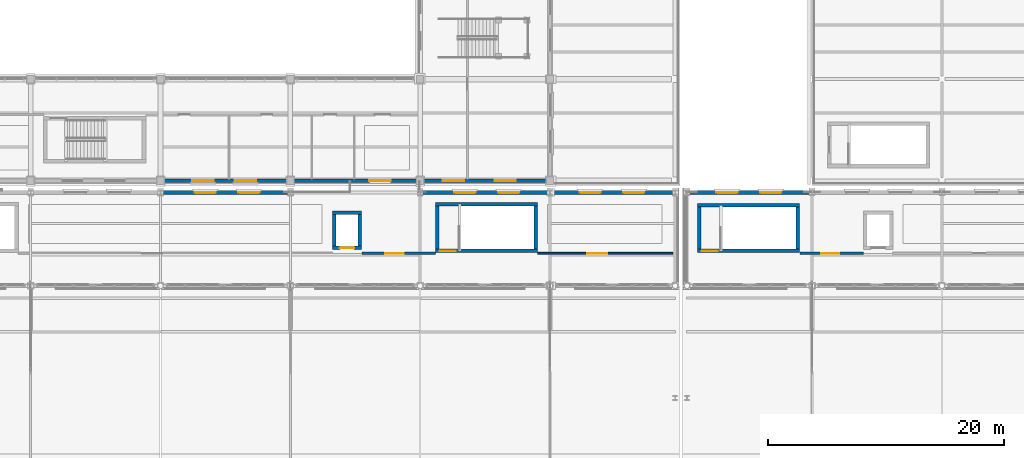
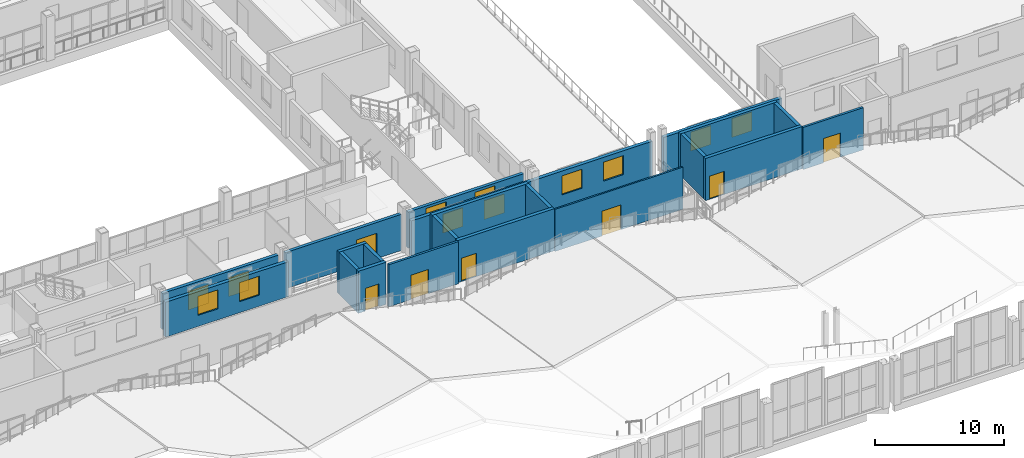
# One storey, part 95 of 120: 22 walls, 12 windows, 7 doors, 19 openings.
"""IFC4 building model written with IfcOpenShell, lengths in metres."""

from ifc_helpers import new_model, si_unit, direction, frame, frame_2d, origin, place, context, subcontext, project, spatial, rectangle, extrude, material, layer, layer_set, type_object, element, fill, save


model = new_model("IFC4")

# Units and contexts
model_context = context("Model", 3, precision=1e-05, world=origin(), true_north=direction((0.0, 1.0)))
body_context = subcontext(model_context, "Body", "Model", "MODEL_VIEW")
ifc_project = project(units=[si_unit("LENGTHUNIT", "METRE"), si_unit("AREAUNIT", "SQUARE_METRE"), si_unit("VOLUMEUNIT", "CUBIC_METRE"), si_unit("PLANEANGLEUNIT", "RADIAN"), si_unit("MASSUNIT", "GRAM", prefix="KILO")], contexts=[model_context])

# Site, building, storey
site_placement = place(None, origin())
site = spatial("IfcSite", under=ifc_project, at=site_placement, CompositionType="ELEMENT")
building_placement = place(site_placement, origin())
building = spatial("IfcBuilding", under=site, at=building_placement, Name="Caurita Quay Ferry Terminal", CompositionType="ELEMENT")
storey_placement = place(building_placement, frame((0.0, 0.0, 9.89990234375)))
storey = spatial("IfcBuildingStorey", under=building, at=storey_placement, Name="L02", CompositionType="ELEMENT", Elevation=9.89990234375)

# Wall, opening, door
ifc_material_1 = material(Name="Reinforced concrete C35/45", Category="concrete")
ifc_layer_1 = layer(ifc_material_1, 0.300048828125, Name="Interior shear wall 300 mm")
ifc_layer_set_1 = layer_set([ifc_layer_1], Name="Reinforced concrete C35/45")
wall_type_1 = type_object("IfcWallType", Name="WL-CORE-300", PredefinedType="SHEAR", material=ifc_layer_set_1)
wall_1_placement = place(storey_placement, frame((67.300048828125, 65.64990234375, 0.0), z_axis=(0.0, 0.0, 1.0), x_axis=(1.0, 0.0, 0.0)))
wall_1 = element("IfcWall", 1, at=wall_1_placement, inside=storey, type_object=wall_type_1, Name="L02 ST-07 Core Wall South", PredefinedType="SHEAR", context=body_context, shape_type="SweptSolid", body=[
    extrude(rectangle(XDim=8.64990234375, YDim=0.300048828125, at=frame_2d((4.324951171875, 0.0))), origin(), (0.0, 0.0, 1.0), 3.989990234375),
])
opening_1_placement = place(wall_1_placement, frame((0.35009765625, 0.0, 0.0)))
opening_1 = element("IfcOpeningElement", 2, at=opening_1_placement, cuts=wall_1, Name="Opening SD-01", PredefinedType="OPENING", context=body_context, shape_type="SweptSolid", body=[
    extrude(rectangle(XDim=1.35009765625, YDim=2.199951171875, at=frame_2d((0.675048828125, 1.10009765625))), frame((0.0, 0.159912109375, 0.0), z_axis=(0.0, -1.0, 0.0), x_axis=(1.0, 0.0, 0.0)), (0.0, 0.0, 1.0), 0.320068359375),
])
ifc_material_2 = material(Name="Anodized aluminium 6063-T6", Category="aluminium")
door_type_1 = type_object("IfcDoorType", Name="DR-ST-1200", OperationType="NOTDEFINED", PredefinedType="DOOR", material=ifc_material_2)
door_1_placement = place(opening_1_placement, origin())
door_1 = element("IfcDoor", 3, at=door_1_placement, inside=storey, type_object=door_type_1, Name="L02 Exit Stair ST-07 Fire Door", OperationType="SINGLE_SWING_LEFT", OverallHeight=2.199951171875, OverallWidth=1.35009765625, PredefinedType="DOOR", context=body_context, shape_type="SweptSolid", body=[
    extrude(rectangle(XDim=1.35009765625, YDim=2.199951171875, at=frame_2d((0.675048828125, 1.10009765625))), frame((0.0, 0.02490234375, 0.0), z_axis=(0.0, -1.0, 0.0), x_axis=(1.0, 0.0, 0.0)), (0.0, 0.0, 1.0), 0.050048828125),
])
fill(opening_1, door_1)

# Walls
wall_2_placement = place(storey_placement, frame((75.949951171875, 69.610107421875, 0.0), z_axis=(0.0, 0.0, 1.0), x_axis=(-1.0, 0.0, 0.0)))
element("IfcWall", 4, at=wall_2_placement, inside=storey, type_object=wall_type_1, Name="L02 ST-07 Core Wall North", PredefinedType="SHEAR", context=body_context, shape_type="SweptSolid", body=[
    extrude(rectangle(XDim=8.64990234375, YDim=0.300048828125, at=frame_2d((4.324951171875, 0.0))), origin(), (0.0, 0.0, 1.0), 3.989990234375),
])
for number, where, z_axis, x_axis, name in (
    (5, (67.449951171875, 69.4599609375, 0.0), (0.0, 0.0, 1.0), (0.0, -1.0, 0.0), "L02 ST-07 Core Wall West"),
    (6, (75.800048828125, 65.800048828125, 0.0), (0.0, 0.0, 1.0), (0.0, 1.0, 0.0), "L02 ST-07 Core Wall East"),
):
    element("IfcWall", number, at=place(storey_placement, frame(where, z_axis=z_axis, x_axis=x_axis)), inside=storey, type_object=wall_type_1, Name=name, PredefinedType="SHEAR", context=body_context, shape_type="SweptSolid", body=[
        extrude(rectangle(XDim=3.659912109375, YDim=0.300048828125, at=frame_2d((1.830078125, 0.0))), origin(), (0.0, 0.0, 1.0), 3.989990234375),
    ])

# Wall, opening, door
wall_3_placement = place(storey_placement, frame((89.5, 65.64990234375, 0.0), z_axis=(0.0, 0.0, 1.0), x_axis=(1.0, 0.0, 0.0)))
wall_3 = element("IfcWall", 7, at=wall_3_placement, inside=storey, type_object=wall_type_1, Name="L02 ST-08 Core Wall South", PredefinedType="SHEAR", context=body_context, shape_type="SweptSolid", body=[
    extrude(rectangle(XDim=8.64990234375, YDim=0.300048828125, at=frame_2d((4.324951171875, 0.0))), origin(), (0.0, 0.0, 1.0), 3.989990234375),
])
opening_2_placement = place(wall_3_placement, frame((0.35009765625, 0.0, 0.0)))
opening_2 = element("IfcOpeningElement", 8, at=opening_2_placement, cuts=wall_3, Name="Opening SD-01", PredefinedType="OPENING", context=body_context, shape_type="SweptSolid", body=[
    extrude(rectangle(XDim=1.35009765625, YDim=2.199951171875, at=frame_2d((0.675048828125, 1.10009765625))), frame((0.0, 0.159912109375, 0.0), z_axis=(0.0, -1.0, 0.0), x_axis=(1.0, 0.0, 0.0)), (0.0, 0.0, 1.0), 0.320068359375),
])
door_2_placement = place(opening_2_placement, origin())
door_2 = element("IfcDoor", 9, at=door_2_placement, inside=storey, type_object=door_type_1, Name="L02 Exit Stair ST-08 Fire Door", OperationType="SINGLE_SWING_RIGHT", OverallHeight=2.199951171875, OverallWidth=1.35009765625, PredefinedType="DOOR", context=body_context, shape_type="SweptSolid", body=[
    extrude(rectangle(XDim=1.35009765625, YDim=2.199951171875, at=frame_2d((0.675048828125, 1.10009765625))), frame((0.0, 0.02490234375, 0.0), z_axis=(0.0, -1.0, 0.0), x_axis=(1.0, 0.0, 0.0)), (0.0, 0.0, 1.0), 0.050048828125),
])
fill(opening_2, door_2)

# Walls
wall_4_placement = place(storey_placement, frame((98.14990234375, 69.510009765625, 0.0), z_axis=(0.0, 0.0, 1.0), x_axis=(-1.0, 0.0, 0.0)))
element("IfcWall", 10, at=wall_4_placement, inside=storey, type_object=wall_type_1, Name="L02 ST-08 Core Wall North", PredefinedType="SHEAR", context=body_context, shape_type="SweptSolid", body=[
    extrude(rectangle(XDim=8.64990234375, YDim=0.300048828125, at=frame_2d((4.324951171875, 0.0))), origin(), (0.0, 0.0, 1.0), 3.989990234375),
])
for number, where, z_axis, x_axis, name in (
    (11, (89.64990234375, 69.360107421875, 0.0), (0.0, 0.0, 1.0), (0.0, -1.0, 0.0), "L02 ST-08 Core Wall West"),
    (12, (98.0, 65.800048828125, 0.0), (0.0, 0.0, 1.0), (0.0, 1.0, 0.0), "L02 ST-08 Core Wall East"),
):
    element("IfcWall", number, at=place(storey_placement, frame(where, z_axis=z_axis, x_axis=x_axis)), inside=storey, type_object=wall_type_1, Name=name, PredefinedType="SHEAR", context=body_context, shape_type="SweptSolid", body=[
        extrude(rectangle(XDim=3.56005859375, YDim=0.300048828125, at=frame_2d((1.780029296875, 0.0))), origin(), (0.0, 0.0, 1.0), 3.989990234375),
    ])

# Wall, opening, door
wall_5_placement = place(storey_placement, frame((58.554931640625, 65.905029296875, 0.0), z_axis=(0.0, 0.0, 1.0), x_axis=(1.0, 0.0, 0.0)))
wall_5 = element("IfcWall", 13, at=wall_5_placement, inside=storey, type_object=wall_type_1, Name="L02 Lift LP-02 Shaft Wall South", PredefinedType="SHEAR", context=body_context, shape_type="SweptSolid", body=[
    extrude(rectangle(XDim=2.489990234375, YDim=0.300048828125, at=frame_2d((1.2451171875, 0.0))), origin(), (0.0, 0.0, 1.0), 3.989990234375),
])
opening_3_placement = place(wall_5_placement, frame((0.64501953125, 0.0, 0.0)))
opening_3 = element("IfcOpeningElement", 14, at=opening_3_placement, cuts=wall_5, Name="Opening LD-02", PredefinedType="OPENING", context=body_context, shape_type="SweptSolid", body=[
    extrude(rectangle(XDim=1.199951171875, YDim=2.14990234375, at=frame_2d((0.60009765625, 1.074951171875))), frame((0.0, 0.159912109375, 0.0), z_axis=(0.0, -1.0, 0.0), x_axis=(1.0, 0.0, 0.0)), (0.0, 0.0, 1.0), 0.320068359375),
])
ifc_material_3 = material(Name="Bronze architectural metalwork", Category="metal")
door_type_2 = type_object("IfcDoorType", Name="DR-LD-02", OperationType="DOUBLE_DOOR_SLIDING", PredefinedType="DOOR", material=ifc_material_3)
door_3_placement = place(opening_3_placement, frame((1.199951171875, 0.0, 0.0), z_axis=(0.0, 0.0, 1.0), x_axis=(-1.0, 0.0, 0.0)))
door_3 = element("IfcDoor", 15, at=door_3_placement, inside=storey, type_object=door_type_2, Name="L02 Lift LP-02 Sliding Landing Door", OperationType="DOUBLE_DOOR_SLIDING", OverallHeight=2.14990234375, OverallWidth=1.199951171875, PredefinedType="DOOR", context=body_context, shape_type="SweptSolid", body=[
    extrude(rectangle(XDim=1.199951171875, YDim=2.14990234375, at=frame_2d((0.60009765625, 1.074951171875))), frame((0.0, 0.02490234375, 0.0), z_axis=(0.0, -1.0, 0.0), x_axis=(1.0, 0.0, 0.0)), (0.0, 0.0, 1.0), 0.050048828125),
])
fill(opening_3, door_3)

# Walls
wall_6_placement = place(storey_placement, frame((61.044921875, 68.89501953125, 0.0), z_axis=(0.0, 0.0, 1.0), x_axis=(-1.0, 0.0, 0.0)))
element("IfcWall", 16, at=wall_6_placement, inside=storey, type_object=wall_type_1, Name="L02 Lift LP-02 Shaft Wall North", PredefinedType="SHEAR", context=body_context, shape_type="SweptSolid", body=[
    extrude(rectangle(XDim=2.489990234375, YDim=0.300048828125, at=frame_2d((1.2451171875, 0.0))), origin(), (0.0, 0.0, 1.0), 3.989990234375),
])
for number, where, z_axis, x_axis, name in (
    (17, (58.705078125, 68.7451171875, 0.0), (0.0, 0.0, 1.0), (0.0, -1.0, 0.0), "L02 Lift LP-02 Shaft Wall West"),
    (18, (60.89501953125, 66.054931640625, 0.0), (0.0, 0.0, 1.0), (0.0, 1.0, 0.0), "L02 Lift LP-02 Shaft Wall East"),
):
    element("IfcWall", number, at=place(storey_placement, frame(where, z_axis=z_axis, x_axis=x_axis)), inside=storey, type_object=wall_type_1, Name=name, PredefinedType="SHEAR", context=body_context, shape_type="SweptSolid", body=[
        extrude(rectangle(XDim=2.690185546875, YDim=0.300048828125, at=frame_2d((1.34521484375, 0.0))), origin(), (0.0, 0.0, 1.0), 3.989990234375),
    ])

# Wall, opening, door
ifc_material_4 = material(Name="Warm-white lime stucco masonry", Category="masonry")
ifc_layer_2 = layer(ifc_material_4, 0.199951171875, Name="Interior partitioning wall 200 mm")
ifc_layer_set_2 = layer_set([ifc_layer_2], Name="Warm-white lime stucco masonry")
wall_type_2 = type_object("IfcWallType", Name="WL-CORR-200", PredefinedType="PARTITIONING", material=ifc_layer_set_2)
wall_7_placement = place(storey_placement, frame((61.050048828125, 65.449951171875, 0.0), z_axis=(0.0, 0.0, 1.0), x_axis=(1.0, 0.0, 0.0)))
wall_7 = element("IfcWall", 19, at=wall_7_placement, inside=storey, type_object=wall_type_2, Name="L02 Interior Partition IW-L02-077", PredefinedType="PARTITIONING", context=body_context, shape_type="SweptSolid", body=[
    extrude(rectangle(XDim=6.239990234375, YDim=0.199951171875, at=frame_2d((3.1201171875, 0.0))), origin(), (0.0, 0.0, 1.0), 3.989990234375),
])
opening_4_placement = place(wall_7_placement, frame((2.0, 0.0, 0.0)))
opening_4 = element("IfcOpeningElement", 20, at=opening_4_placement, cuts=wall_7, Name="Opening ID-10", PredefinedType="OPENING", context=body_context, shape_type="SweptSolid", body=[
    extrude(rectangle(XDim=1.550048828125, YDim=2.300048828125, at=frame_2d((0.77490234375, 1.14990234375))), frame((0.0, 0.10986328125, 0.0), z_axis=(0.0, -1.0, 0.0), x_axis=(1.0, 0.0, 0.0)), (0.0, 0.0, 1.0), 0.219970703125),
])
ifc_material_5 = material(Name="Tropical mahogany hardwood", Category="wood")
door_type_3 = type_object("IfcDoorType", Name="DR-CONC-1550", OperationType="NOTDEFINED", PredefinedType="DOOR", material=ifc_material_5)
door_4_placement = place(opening_4_placement, frame((1.550048828125, 0.0, 0.0), z_axis=(0.0, 0.0, 1.0), x_axis=(-1.0, 0.0, 0.0)))
door_4 = element("IfcDoor", 21, at=door_4_placement, inside=storey, type_object=door_type_3, Name="Mezzanine Lift Lobby East Gallery Door", OperationType="SINGLE_SWING_RIGHT", OverallHeight=2.300048828125, OverallWidth=1.550048828125, PredefinedType="DOOR", context=body_context, shape_type="SweptSolid", body=[
    extrude(rectangle(XDim=1.550048828125, YDim=2.300048828125, at=frame_2d((0.77490234375, 1.14990234375))), frame((0.0, 0.02490234375, 0.0), z_axis=(0.0, -1.0, 0.0), x_axis=(1.0, 0.0, 0.0)), (0.0, 0.0, 1.0), 0.050048828125),
])
fill(opening_4, door_4)

wall_8_placement = place(storey_placement, frame((98.159912109375, 65.449951171875, 0.0), z_axis=(0.0, 0.0, 1.0), x_axis=(1.0, 0.0, 0.0)))
wall_8 = element("IfcWall", 22, at=wall_8_placement, inside=storey, type_object=wall_type_2, Name="L02 Interior Partition IW-L02-079", PredefinedType="PARTITIONING", context=body_context, shape_type="SweptSolid", body=[
    extrude(rectangle(XDim=5.39013671875, YDim=0.199951171875, at=frame_2d((2.695068359375, 0.0))), origin(), (0.0, 0.0, 1.0), 3.989990234375),
])
opening_5_placement = place(wall_8_placement, frame((1.800048828125, 0.0, 0.0)))
opening_5 = element("IfcOpeningElement", 23, at=opening_5_placement, cuts=wall_8, Name="Opening ID-10", PredefinedType="OPENING", context=body_context, shape_type="SweptSolid", body=[
    extrude(rectangle(XDim=1.550048828125, YDim=2.300048828125, at=frame_2d((0.77490234375, 1.14990234375))), frame((0.0, 0.10986328125, 0.0), z_axis=(0.0, -1.0, 0.0), x_axis=(1.0, 0.0, 0.0)), (0.0, 0.0, 1.0), 0.219970703125),
])
door_5_placement = place(opening_5_placement, frame((1.550048828125, 0.0, 0.0), z_axis=(0.0, 0.0, 1.0), x_axis=(-1.0, 0.0, 0.0)))
door_5 = element("IfcDoor", 24, at=door_5_placement, inside=storey, type_object=door_type_3, Name="Arrivals Lift Lobby L02 Door", OperationType="SINGLE_SWING_RIGHT", OverallHeight=2.300048828125, OverallWidth=1.550048828125, PredefinedType="DOOR", context=body_context, shape_type="SweptSolid", body=[
    extrude(rectangle(XDim=1.550048828125, YDim=2.300048828125, at=frame_2d((0.77490234375, 1.14990234375))), frame((0.0, 0.02490234375, 0.0), z_axis=(0.0, -1.0, 0.0), x_axis=(1.0, 0.0, 0.0)), (0.0, 0.0, 1.0), 0.050048828125),
])
fill(opening_5, door_5)

# Wall, openings, windows
ifc_layer_3 = layer(ifc_material_4, 0.280029296875, Name="Exterior solidwall wall 280 mm")
ifc_layer_set_3 = layer_set([ifc_layer_3], Name="Warm-white lime stucco masonry")
wall_type_3 = type_object("IfcWallType", Name="WL-EXT-280", PredefinedType="SOLIDWALL", material=ifc_layer_set_3)
wall_9_placement = place(storey_placement, frame((44.298095703125, 71.60009765625, 0.0), z_axis=(0.0, 0.0, 1.0), x_axis=(1.0, 0.0, 0.0)))
wall_9 = element("IfcWall", 25, at=wall_9_placement, inside=storey, type_object=wall_type_3, Name="L02 Exterior Wall EW-L02-073", PredefinedType="SOLIDWALL", context=body_context, shape_type="SweptSolid", body=[
    extrude(rectangle(XDim=10.40380859375, YDim=0.280029296875, at=frame_2d((5.201904296875, 0.0))), origin(), (0.0, 0.0, 1.0), 3.425048828125),
])
opening_6_placement = place(wall_9_placement, frame((2.402099609375, 0.0, 0.949951171875)))
opening_6 = element("IfcOpeningElement", 26, at=opening_6_placement, cuts=wall_9, Name="Opening W-09", PredefinedType="OPENING", context=body_context, shape_type="SweptSolid", body=[
    extrude(rectangle(XDim=1.800048828125, YDim=1.800048828125, at=frame_2d((0.89990234375, 0.89990234375))), frame((0.0, 0.14990234375, 0.0), z_axis=(0.0, -1.0, 0.0), x_axis=(1.0, 0.0, 0.0)), (0.0, 0.0, 1.0), 0.300048828125),
])
opening_7_placement = place(wall_9_placement, frame((6.001953125, 0.0, 0.949951171875)))
opening_7 = element("IfcOpeningElement", 27, at=opening_7_placement, cuts=wall_9, Name="Opening W-09", PredefinedType="OPENING", context=body_context, shape_type="SweptSolid", body=[
    extrude(rectangle(XDim=1.800048828125, YDim=1.800048828125, at=frame_2d((0.89990234375, 0.89990234375))), frame((0.0, 0.14990234375, 0.0), z_axis=(0.0, -1.0, 0.0), x_axis=(1.0, 0.0, 0.0)), (0.0, 0.0, 1.0), 0.300048828125),
])
ifc_material_6 = material(Name="Laminated solar-control insulated glass", Category="glass")
window_type_1 = type_object("IfcWindowType", Name="WIN-SC-1818", PartitioningType="SINGLE_PANEL", PredefinedType="WINDOW", material=ifc_material_6)
window_1_placement = place(opening_6_placement, origin())
window_1 = element("IfcWindow", 28, at=window_1_placement, inside=storey, type_object=window_type_1, Name="L02 Casement Window WN-L02-109", OverallHeight=1.800048828125, OverallWidth=1.800048828125, PartitioningType="SINGLE_PANEL", PredefinedType="WINDOW", context=body_context, shape_type="SweptSolid", body=[
    extrude(rectangle(XDim=1.800048828125, YDim=1.800048828125, at=frame_2d((0.89990234375, 0.89990234375))), frame((0.0, 0.030029296875, 0.0), z_axis=(0.0, -1.0, 0.0), x_axis=(1.0, 0.0, 0.0)), (0.0, 0.0, 1.0), 0.06005859375),
])
fill(opening_6, window_1)
window_2_placement = place(opening_7_placement, origin())
window_2 = element("IfcWindow", 29, at=window_2_placement, inside=storey, type_object=window_type_1, Name="L02 Casement Window WN-L02-110", OverallHeight=1.800048828125, OverallWidth=1.800048828125, PartitioningType="SINGLE_PANEL", PredefinedType="WINDOW", context=body_context, shape_type="SweptSolid", body=[
    extrude(rectangle(XDim=1.800048828125, YDim=1.800048828125, at=frame_2d((0.89990234375, 0.89990234375))), frame((0.0, 0.030029296875, 0.0), z_axis=(0.0, -1.0, 0.0), x_axis=(1.0, 0.0, 0.0)), (0.0, 0.0, 1.0), 0.06005859375),
])
fill(opening_7, window_2)

# Wall, opening, door
wall_10_placement = place(storey_placement, frame((55.298095703125, 71.60009765625, 0.0), z_axis=(0.0, 0.0, 1.0), x_axis=(1.0, 0.0, 0.0)))
wall_10 = element("IfcWall", 30, at=wall_10_placement, inside=storey, type_object=wall_type_3, Name="L02 Exterior Wall EW-L02-074", PredefinedType="SOLIDWALL", context=body_context, shape_type="SweptSolid", body=[
    extrude(rectangle(XDim=10.40380859375, YDim=0.280029296875, at=frame_2d((5.201904296875, 0.0))), origin(), (0.0, 0.0, 1.0), 3.425048828125),
])
opening_8_placement = place(wall_10_placement, frame((6.402099609375, 0.0, 0.0)))
opening_8 = element("IfcOpeningElement", 31, at=opening_8_placement, cuts=wall_10, Name="Opening ED-03", PredefinedType="OPENING", context=body_context, shape_type="SweptSolid", body=[
    extrude(rectangle(XDim=1.800048828125, YDim=2.39990234375, at=frame_2d((0.89990234375, 1.199951171875))), frame((0.0, 0.14990234375, 0.0), z_axis=(0.0, -1.0, 0.0), x_axis=(1.0, 0.0, 0.0)), (0.0, 0.0, 1.0), 0.300048828125),
])
door_type_4 = type_object("IfcDoorType", Name="DR-EXT-1824", OperationType="NOTDEFINED", PredefinedType="DOOR", material=ifc_material_2)
door_6_placement = place(opening_8_placement, frame((1.800048828125, 0.0, 0.0), z_axis=(0.0, 0.0, 1.0), x_axis=(-1.0, 0.0, 0.0)))
door_6 = element("IfcDoor", 32, at=door_6_placement, inside=storey, type_object=door_type_4, Name="L02 Seismic Link Door SJ4-E", OperationType="SINGLE_SWING_LEFT", OverallHeight=2.39990234375, OverallWidth=1.800048828125, PredefinedType="DOOR", context=body_context, shape_type="SweptSolid", body=[
    extrude(rectangle(XDim=1.800048828125, YDim=2.39990234375, at=frame_2d((0.89990234375, 1.199951171875))), frame((0.0, 0.02490234375, 0.0), z_axis=(0.0, -1.0, 0.0), x_axis=(1.0, 0.0, 0.0)), (0.0, 0.0, 1.0), 0.050048828125),
])
fill(opening_8, door_6)

# Wall, openings, windows
wall_11_placement = place(storey_placement, frame((66.298095703125, 71.60009765625, 0.0), z_axis=(0.0, 0.0, 1.0), x_axis=(1.0, 0.0, 0.0)))
wall_11 = element("IfcWall", 33, at=wall_11_placement, inside=storey, type_object=wall_type_3, Name="L02 Exterior Wall EW-L02-075", PredefinedType="SOLIDWALL", context=body_context, shape_type="SweptSolid", body=[
    extrude(rectangle(XDim=10.40380859375, YDim=0.280029296875, at=frame_2d((5.201904296875, 0.0))), origin(), (0.0, 0.0, 1.0), 3.43505859375),
])
opening_9_placement = place(wall_11_placement, frame((1.62890625, 0.0, 0.800048828125)))
opening_9 = element("IfcOpeningElement", 34, at=opening_9_placement, cuts=wall_11, Name="Opening W-10", PredefinedType="OPENING", context=body_context, shape_type="SweptSolid", body=[
    extrude(rectangle(XDim=1.800048828125, YDim=2.39990234375, at=frame_2d((0.89990234375, 1.199951171875))), frame((0.0, 0.14990234375, 0.0), z_axis=(0.0, -1.0, 0.0), x_axis=(1.0, 0.0, 0.0)), (0.0, 0.0, 1.0), 0.300048828125),
])
opening_10_placement = place(wall_11_placement, frame((6.001953125, 0.0, 0.800048828125)))
opening_10 = element("IfcOpeningElement", 35, at=opening_10_placement, cuts=wall_11, Name="Opening W-10", PredefinedType="OPENING", context=body_context, shape_type="SweptSolid", body=[
    extrude(rectangle(XDim=1.800048828125, YDim=2.39990234375, at=frame_2d((0.89990234375, 1.199951171875))), frame((0.0, 0.14990234375, 0.0), z_axis=(0.0, -1.0, 0.0), x_axis=(1.0, 0.0, 0.0)), (0.0, 0.0, 1.0), 0.300048828125),
])
window_type_2 = type_object("IfcWindowType", Name="WIN-SC-1824", PartitioningType="SINGLE_PANEL", PredefinedType="WINDOW", material=ifc_material_6)
window_3_placement = place(opening_9_placement, origin())
window_3 = element("IfcWindow", 36, at=window_3_placement, inside=storey, type_object=window_type_2, Name="L02 Casement Window WN-L02-111", OverallHeight=2.39990234375, OverallWidth=1.800048828125, PartitioningType="SINGLE_PANEL", PredefinedType="WINDOW", context=body_context, shape_type="SweptSolid", body=[
    extrude(rectangle(XDim=1.800048828125, YDim=2.39990234375, at=frame_2d((0.89990234375, 1.199951171875))), frame((0.0, 0.030029296875, 0.0), z_axis=(0.0, -1.0, 0.0), x_axis=(1.0, 0.0, 0.0)), (0.0, 0.0, 1.0), 0.06005859375),
])
fill(opening_9, window_3)
window_4_placement = place(opening_10_placement, origin())
window_4 = element("IfcWindow", 37, at=window_4_placement, inside=storey, type_object=window_type_2, Name="L02 Casement Window WN-L02-112", OverallHeight=2.39990234375, OverallWidth=1.800048828125, PartitioningType="SINGLE_PANEL", PredefinedType="WINDOW", context=body_context, shape_type="SweptSolid", body=[
    extrude(rectangle(XDim=1.800048828125, YDim=2.39990234375, at=frame_2d((0.89990234375, 1.199951171875))), frame((0.0, 0.030029296875, 0.0), z_axis=(0.0, -1.0, 0.0), x_axis=(1.0, 0.0, 0.0)), (0.0, 0.0, 1.0), 0.06005859375),
])
fill(opening_10, window_4)

ifc_layer_4 = layer(ifc_material_4, 0.31005859375, Name="Exterior solidwall wall 310 mm")
ifc_layer_set_4 = layer_set([ifc_layer_4], Name="Warm-white lime stucco masonry")
wall_type_4 = type_object("IfcWallType", Name="WL-EXT-310", PredefinedType="SOLIDWALL", material=ifc_layer_set_4)
wall_12_placement = place(storey_placement, frame((54.995361328125, 70.60009765625, 0.0), z_axis=(0.0, 0.0, 1.0), x_axis=(-1.0, 0.0, 0.0)))
wall_12 = element("IfcWall", 38, at=wall_12_placement, inside=storey, type_object=wall_type_4, Name="L02 Exterior Wall EW-L02-193", PredefinedType="SOLIDWALL", context=body_context, shape_type="SweptSolid", body=[
    extrude(rectangle(XDim=10.99072265625, YDim=0.31005859375, at=frame_2d((5.495361328125, 0.0))), origin(), (0.0, 0.0, 1.0), 3.302001953125),
])
opening_11_placement = place(wall_12_placement, frame((2.595458984375, 0.0, 1.050048828125)))
opening_11 = element("IfcOpeningElement", 39, at=opening_11_placement, cuts=wall_12, Name="Opening W-09", PredefinedType="OPENING", context=body_context, shape_type="SweptSolid", body=[
    extrude(rectangle(XDim=1.800048828125, YDim=1.800048828125, at=frame_2d((0.89990234375, 0.89990234375))), frame((0.0, 0.1650390625, 0.0), z_axis=(0.0, -1.0, 0.0), x_axis=(1.0, 0.0, 0.0)), (0.0, 0.0, 1.0), 0.330078125),
])
opening_12_placement = place(wall_12_placement, frame((6.29541015625, 0.0, 1.050048828125)))
opening_12 = element("IfcOpeningElement", 40, at=opening_12_placement, cuts=wall_12, Name="Opening W-09", PredefinedType="OPENING", context=body_context, shape_type="SweptSolid", body=[
    extrude(rectangle(XDim=1.800048828125, YDim=1.800048828125, at=frame_2d((0.89990234375, 0.89990234375))), frame((0.0, 0.1650390625, 0.0), z_axis=(0.0, -1.0, 0.0), x_axis=(1.0, 0.0, 0.0)), (0.0, 0.0, 1.0), 0.330078125),
])
window_5_placement = place(opening_11_placement, origin())
window_5 = element("IfcWindow", 41, at=window_5_placement, inside=storey, type_object=window_type_1, Name="L02 Casement Window WN-L02-295", OverallHeight=1.800048828125, OverallWidth=1.800048828125, PartitioningType="SINGLE_PANEL", PredefinedType="WINDOW", context=body_context, shape_type="SweptSolid", body=[
    extrude(rectangle(XDim=1.800048828125, YDim=1.800048828125, at=frame_2d((0.89990234375, 0.89990234375))), frame((0.0, 0.030029296875, 0.0), z_axis=(0.0, -1.0, 0.0), x_axis=(1.0, 0.0, 0.0)), (0.0, 0.0, 1.0), 0.06005859375),
])
fill(opening_11, window_5)
window_6_placement = place(opening_12_placement, origin())
window_6 = element("IfcWindow", 42, at=window_6_placement, inside=storey, type_object=window_type_1, Name="L02 Casement Window WN-L02-296", OverallHeight=1.800048828125, OverallWidth=1.800048828125, PartitioningType="SINGLE_PANEL", PredefinedType="WINDOW", context=body_context, shape_type="SweptSolid", body=[
    extrude(rectangle(XDim=1.800048828125, YDim=1.800048828125, at=frame_2d((0.89990234375, 0.89990234375))), frame((0.0, 0.030029296875, 0.0), z_axis=(0.0, -1.0, 0.0), x_axis=(1.0, 0.0, 0.0)), (0.0, 0.0, 1.0), 0.06005859375),
])
fill(opening_12, window_6)

wall_13_placement = place(storey_placement, frame((76.995361328125, 70.60009765625, 0.0), z_axis=(0.0, 0.0, 1.0), x_axis=(-1.0, 0.0, 0.0)))
wall_13 = element("IfcWall", 43, at=wall_13_placement, inside=storey, type_object=wall_type_4, Name="L02 Exterior Wall EW-L02-194", PredefinedType="SOLIDWALL", context=body_context, shape_type="SweptSolid", body=[
    extrude(rectangle(XDim=10.99072265625, YDim=0.31005859375, at=frame_2d((5.495361328125, 0.0))), origin(), (0.0, 0.0, 1.0), 3.302001953125),
])
opening_13_placement = place(wall_13_placement, frame((2.59521484375, 0.0, 1.050048828125)))
opening_13 = element("IfcOpeningElement", 44, at=opening_13_placement, cuts=wall_13, Name="Opening W-09", PredefinedType="OPENING", context=body_context, shape_type="SweptSolid", body=[
    extrude(rectangle(XDim=1.800048828125, YDim=1.800048828125, at=frame_2d((0.89990234375, 0.89990234375))), frame((0.0, 0.1650390625, 0.0), z_axis=(0.0, -1.0, 0.0), x_axis=(1.0, 0.0, 0.0)), (0.0, 0.0, 1.0), 0.330078125),
])
opening_14_placement = place(wall_13_placement, frame((6.29541015625, 0.0, 1.050048828125)))
opening_14 = element("IfcOpeningElement", 45, at=opening_14_placement, cuts=wall_13, Name="Opening W-09", PredefinedType="OPENING", context=body_context, shape_type="SweptSolid", body=[
    extrude(rectangle(XDim=1.800048828125, YDim=1.800048828125, at=frame_2d((0.89990234375, 0.89990234375))), frame((0.0, 0.1650390625, 0.0), z_axis=(0.0, -1.0, 0.0), x_axis=(1.0, 0.0, 0.0)), (0.0, 0.0, 1.0), 0.330078125),
])
window_7_placement = place(opening_13_placement, origin())
window_7 = element("IfcWindow", 46, at=window_7_placement, inside=storey, type_object=window_type_1, Name="L02 Casement Window WN-L02-297", OverallHeight=1.800048828125, OverallWidth=1.800048828125, PartitioningType="SINGLE_PANEL", PredefinedType="WINDOW", context=body_context, shape_type="SweptSolid", body=[
    extrude(rectangle(XDim=1.800048828125, YDim=1.800048828125, at=frame_2d((0.89990234375, 0.89990234375))), frame((0.0, 0.030029296875, 0.0), z_axis=(0.0, -1.0, 0.0), x_axis=(1.0, 0.0, 0.0)), (0.0, 0.0, 1.0), 0.06005859375),
])
fill(opening_13, window_7)
window_8_placement = place(opening_14_placement, origin())
window_8 = element("IfcWindow", 47, at=window_8_placement, inside=storey, type_object=window_type_1, Name="L02 Casement Window WN-L02-298", OverallHeight=1.800048828125, OverallWidth=1.800048828125, PartitioningType="SINGLE_PANEL", PredefinedType="WINDOW", context=body_context, shape_type="SweptSolid", body=[
    extrude(rectangle(XDim=1.800048828125, YDim=1.800048828125, at=frame_2d((0.89990234375, 0.89990234375))), frame((0.0, 0.030029296875, 0.0), z_axis=(0.0, -1.0, 0.0), x_axis=(1.0, 0.0, 0.0)), (0.0, 0.0, 1.0), 0.06005859375),
])
fill(opening_14, window_8)

wall_14_placement = place(storey_placement, frame((87.59521484375, 70.60009765625, 0.0), z_axis=(0.0, 0.0, 1.0), x_axis=(-1.0, 0.0, 0.0)))
wall_14 = element("IfcWall", 48, at=wall_14_placement, inside=storey, type_object=wall_type_4, Name="L02 Exterior Wall EW-L02-195", PredefinedType="SOLIDWALL", context=body_context, shape_type="SweptSolid", body=[
    extrude(rectangle(XDim=10.590576171875, YDim=0.31005859375, at=frame_2d((5.29541015625, 0.0))), origin(), (0.0, 0.0, 1.0), 3.302001953125),
])
opening_15_placement = place(wall_14_placement, frame((2.595458984375, 0.0, 1.050048828125)))
opening_15 = element("IfcOpeningElement", 49, at=opening_15_placement, cuts=wall_14, Name="Opening W-09", PredefinedType="OPENING", context=body_context, shape_type="SweptSolid", body=[
    extrude(rectangle(XDim=1.800048828125, YDim=1.800048828125, at=frame_2d((0.89990234375, 0.89990234375))), frame((0.0, 0.1650390625, 0.0), z_axis=(0.0, -1.0, 0.0), x_axis=(1.0, 0.0, 0.0)), (0.0, 0.0, 1.0), 0.330078125),
])
opening_16_placement = place(wall_14_placement, frame((6.29541015625, 0.0, 1.050048828125)))
opening_16 = element("IfcOpeningElement", 50, at=opening_16_placement, cuts=wall_14, Name="Opening W-09", PredefinedType="OPENING", context=body_context, shape_type="SweptSolid", body=[
    extrude(rectangle(XDim=1.800048828125, YDim=1.800048828125, at=frame_2d((0.89990234375, 0.89990234375))), frame((0.0, 0.1650390625, 0.0), z_axis=(0.0, -1.0, 0.0), x_axis=(1.0, 0.0, 0.0)), (0.0, 0.0, 1.0), 0.330078125),
])
window_9_placement = place(opening_15_placement, origin())
window_9 = element("IfcWindow", 51, at=window_9_placement, inside=storey, type_object=window_type_1, Name="L02 Casement Window WN-L02-299", OverallHeight=1.800048828125, OverallWidth=1.800048828125, PartitioningType="SINGLE_PANEL", PredefinedType="WINDOW", context=body_context, shape_type="SweptSolid", body=[
    extrude(rectangle(XDim=1.800048828125, YDim=1.800048828125, at=frame_2d((0.89990234375, 0.89990234375))), frame((0.0, 0.030029296875, 0.0), z_axis=(0.0, -1.0, 0.0), x_axis=(1.0, 0.0, 0.0)), (0.0, 0.0, 1.0), 0.06005859375),
])
fill(opening_15, window_9)
window_10_placement = place(opening_16_placement, origin())
window_10 = element("IfcWindow", 52, at=window_10_placement, inside=storey, type_object=window_type_1, Name="L02 Casement Window WN-L02-300", OverallHeight=1.800048828125, OverallWidth=1.800048828125, PartitioningType="SINGLE_PANEL", PredefinedType="WINDOW", context=body_context, shape_type="SweptSolid", body=[
    extrude(rectangle(XDim=1.800048828125, YDim=1.800048828125, at=frame_2d((0.89990234375, 0.89990234375))), frame((0.0, 0.030029296875, 0.0), z_axis=(0.0, -1.0, 0.0), x_axis=(1.0, 0.0, 0.0)), (0.0, 0.0, 1.0), 0.06005859375),
])
fill(opening_16, window_10)

wall_15_placement = place(storey_placement, frame((99.1962890625, 70.60009765625, 0.0), z_axis=(0.0, 0.0, 1.0), x_axis=(-1.0, 0.0, 0.0)))
wall_15 = element("IfcWall", 53, at=wall_15_placement, inside=storey, type_object=wall_type_4, Name="L02 Exterior Wall EW-L02-196", PredefinedType="SOLIDWALL", context=body_context, shape_type="SweptSolid", body=[
    extrude(rectangle(XDim=10.5927734375, YDim=0.31005859375, at=frame_2d((5.29638671875, 0.0))), origin(), (0.0, 0.0, 1.0), 3.302001953125),
])
opening_17_placement = place(wall_15_placement, frame((2.596435546875, 0.0, 1.050048828125)))
opening_17 = element("IfcOpeningElement", 54, at=opening_17_placement, cuts=wall_15, Name="Opening W-09", PredefinedType="OPENING", context=body_context, shape_type="SweptSolid", body=[
    extrude(rectangle(XDim=1.800048828125, YDim=1.800048828125, at=frame_2d((0.89990234375, 0.89990234375))), frame((0.0, 0.1650390625, 0.0), z_axis=(0.0, -1.0, 0.0), x_axis=(1.0, 0.0, 0.0)), (0.0, 0.0, 1.0), 0.330078125),
])
opening_18_placement = place(wall_15_placement, frame((6.29638671875, 0.0, 1.050048828125)))
opening_18 = element("IfcOpeningElement", 55, at=opening_18_placement, cuts=wall_15, Name="Opening W-09", PredefinedType="OPENING", context=body_context, shape_type="SweptSolid", body=[
    extrude(rectangle(XDim=1.800048828125, YDim=1.800048828125, at=frame_2d((0.89990234375, 0.89990234375))), frame((0.0, 0.1650390625, 0.0), z_axis=(0.0, -1.0, 0.0), x_axis=(1.0, 0.0, 0.0)), (0.0, 0.0, 1.0), 0.330078125),
])
window_11_placement = place(opening_17_placement, origin())
window_11 = element("IfcWindow", 56, at=window_11_placement, inside=storey, type_object=window_type_1, Name="L02 Casement Window WN-L02-301", OverallHeight=1.800048828125, OverallWidth=1.800048828125, PartitioningType="SINGLE_PANEL", PredefinedType="WINDOW", context=body_context, shape_type="SweptSolid", body=[
    extrude(rectangle(XDim=1.800048828125, YDim=1.800048828125, at=frame_2d((0.89990234375, 0.89990234375))), frame((0.0, 0.030029296875, 0.0), z_axis=(0.0, -1.0, 0.0), x_axis=(1.0, 0.0, 0.0)), (0.0, 0.0, 1.0), 0.06005859375),
])
fill(opening_17, window_11)
window_12_placement = place(opening_18_placement, origin())
window_12 = element("IfcWindow", 57, at=window_12_placement, inside=storey, type_object=window_type_1, Name="L02 Casement Window WN-L02-302", OverallHeight=1.800048828125, OverallWidth=1.800048828125, PartitioningType="SINGLE_PANEL", PredefinedType="WINDOW", context=body_context, shape_type="SweptSolid", body=[
    extrude(rectangle(XDim=1.800048828125, YDim=1.800048828125, at=frame_2d((0.89990234375, 0.89990234375))), frame((0.0, 0.030029296875, 0.0), z_axis=(0.0, -1.0, 0.0), x_axis=(1.0, 0.0, 0.0)), (0.0, 0.0, 1.0), 0.06005859375),
])
fill(opening_18, window_12)

# Wall, opening, door
ifc_material_7 = material(Name="Gypsum board partition", Category="masonry")
ifc_layer_5 = layer(ifc_material_7, 0.14501953125, Name="Interior partitioning wall 145 mm")
ifc_layer_set_5 = layer_set([ifc_layer_5], Name="Gypsum board partition")
wall_type_5 = type_object("IfcWallType", Name="WL-PART-145", PredefinedType="PARTITIONING", material=ifc_layer_set_5)
wall_16_placement = place(storey_placement, frame((75.9599609375, 65.449951171875, 0.0), z_axis=(0.0, 0.0, 1.0), x_axis=(1.0, 0.0, 0.0)))
wall_16 = element("IfcWall", 58, at=wall_16_placement, inside=storey, type_object=wall_type_5, Name="L02 Interior Partition IW-L02-078", PredefinedType="PARTITIONING", context=body_context, shape_type="SweptSolid", body=[
    extrude(rectangle(XDim=11.43994140625, YDim=0.14501953125, at=frame_2d((5.719970703125, 0.0))), origin(), (0.0, 0.0, 1.0), 3.989990234375),
])
opening_19_placement = place(wall_16_placement, frame((4.199951171875, 0.0, 0.0)))
opening_19 = element("IfcOpeningElement", 59, at=opening_19_placement, cuts=wall_16, Name="Opening ID-03", PredefinedType="OPENING", context=body_context, shape_type="SweptSolid", body=[
    extrude(rectangle(XDim=1.699951171875, YDim=2.35009765625, at=frame_2d((0.85009765625, 1.175048828125))), frame((0.0, 0.08251953125, 0.0), z_axis=(0.0, -1.0, 0.0), x_axis=(1.0, 0.0, 0.0)), (0.0, 0.0, 1.0), 0.1650390625),
])
door_type_5 = type_object("IfcDoorType", Name="DR-CONC-1700", OperationType="NOTDEFINED", PredefinedType="DOOR", material=ifc_material_5)
door_7_placement = place(opening_19_placement, origin())
door_7 = element("IfcDoor", 60, at=door_7_placement, inside=storey, type_object=door_type_5, Name="Priority Dining Bar Gallery Entry", OperationType="SINGLE_SWING_LEFT", OverallHeight=2.35009765625, OverallWidth=1.699951171875, PredefinedType="DOOR", context=body_context, shape_type="SweptSolid", body=[
    extrude(rectangle(XDim=1.699951171875, YDim=2.35009765625, at=frame_2d((0.85009765625, 1.175048828125))), frame((0.0, 0.02490234375, 0.0), z_axis=(0.0, -1.0, 0.0), x_axis=(1.0, 0.0, 0.0)), (0.0, 0.0, 1.0), 0.050048828125),
])
fill(opening_19, door_7)

save(model, "model.ifc")
